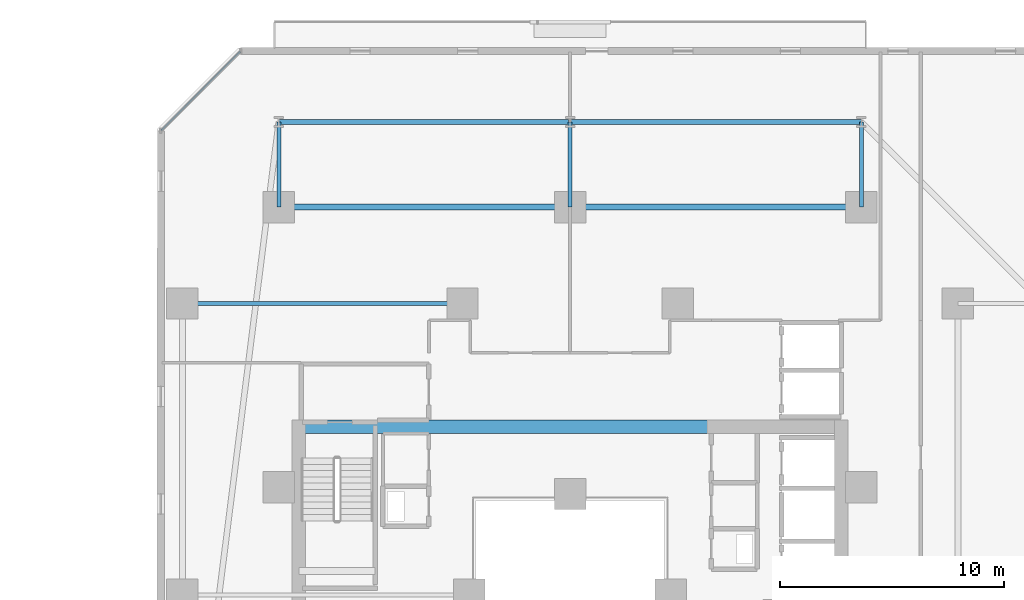
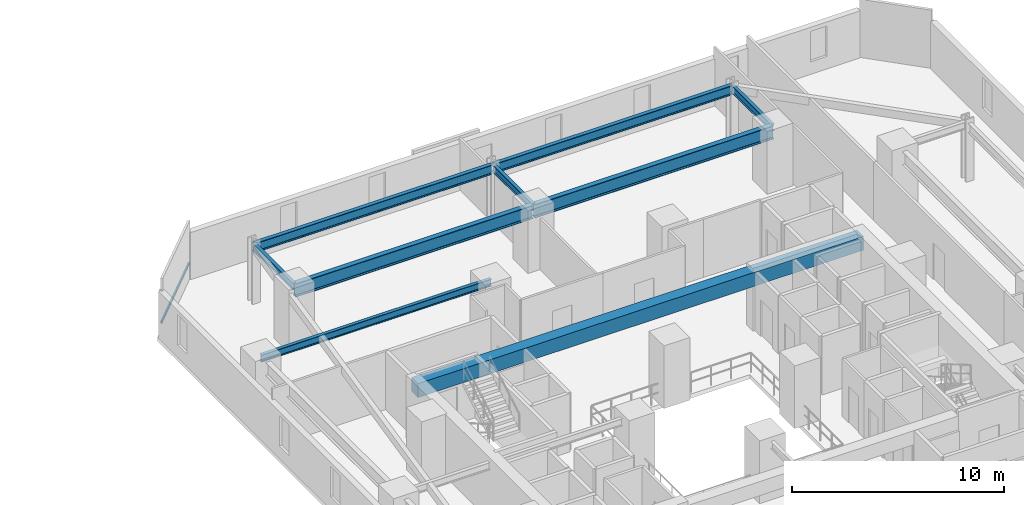
# One storey, part 15 of 34: 9 beams, 1 member, 1 element without a shape of its own.
"""IFC4 building model written with IfcOpenShell, lengths in metres."""

from ifc_helpers import new_model, si_unit, direction, frame, origin, origin_2d, place, context, subcontext, project, spatial, rectangle, hollow_rectangle, i_section, extrude, material, material_profile, profile_set, type_object, element, aggregate, save


model = new_model("IFC4")

# Units and contexts
model_context = context("Model", 3, precision=1e-05, world=origin(), true_north=direction((0.0, 1.0)))
body_context = subcontext(model_context, "Body", "Model", "MODEL_VIEW")
ifc_project = project(units=[si_unit("LENGTHUNIT", "METRE"), si_unit("AREAUNIT", "SQUARE_METRE"), si_unit("VOLUMEUNIT", "CUBIC_METRE"), si_unit("PLANEANGLEUNIT", "RADIAN"), si_unit("MASSUNIT", "GRAM", prefix="KILO")], contexts=[model_context])

# Site, building, storey
site_placement = place(None, origin())
site = spatial("IfcSite", under=ifc_project, at=site_placement, CompositionType="ELEMENT")
building_placement = place(site_placement, origin())
building = spatial("IfcBuilding", under=site, at=building_placement, Name="Thornwick Lancets Civic Towers", CompositionType="ELEMENT")
storey_placement = place(building_placement, frame((0.0, 0.0, 57.300048828125)))
storey = spatial("IfcBuildingStorey", under=building, at=storey_placement, Name="L14", CompositionType="ELEMENT", Elevation=57.300048828125)

# Beams
ifc_material_1 = material(Name="Concrete C60/75", Category="concrete")
ifc_material_profile_1 = material_profile(ifc_material_1, rectangle(XDim=0.60009765625, YDim=0.800048828125, at=origin_2d()), Name="RC 600x800")
ifc_profile_set_1 = profile_set([ifc_material_profile_1], Name="Concrete C60/75")
beam_type_1 = type_object("IfcBeamType", Name="BM_COUP_RC800", PredefinedType="BEAM", material=ifc_profile_set_1)
beam_1_placement = place(storey_placement, frame((76.39990234375, 34.5, 2.9599609375), z_axis=(1.0, 0.0, 0.0), x_axis=(0.0, 1.0, 0.0)))
element("IfcBeam", 1, at=beam_1_placement, inside=storey, type_object=beam_type_1, Name="CB-L14-B1", PredefinedType="BEAM", context=body_context, shape_type="SweptSolid", body=[
    extrude(rectangle(XDim=0.60009765625, YDim=0.800048828125, at=origin_2d()), origin(), (0.0, 0.0, 1.0), 24.2001953125),
])
ifc_material_2 = material(Name="Steel S355JR", Category="steel")
ifc_material_profile_2 = material_profile(ifc_material_2, i_section(OverallWidth=0.2119140625, OverallDepth=0.54443359375, WebThickness=0.0126953125, FlangeThickness=0.021240234375, FilletRadius=0.0126953125, at=origin_2d()), Name="UKB 533x210x122")
ifc_profile_set_2 = profile_set([ifc_material_profile_2], Name="Steel S355JR")
beam_type_2 = type_object("IfcBeamType", Name="BM_EDGE_533_122", PredefinedType="SPANDREL", material=ifc_profile_set_2)
beam_2_placement = place(storey_placement, frame((101.5, 48.10009765625, 3.087646484375), z_axis=(-1.0, 0.0, 0.0), x_axis=(0.0, -1.0, 0.0)))
element("IfcBeam", 2, at=beam_2_placement, inside=storey, type_object=beam_type_2, Name="BM-EDGE-L14-B-S1-1", PredefinedType="SPANDREL", context=body_context, shape_type="SweptSolid", body=[
    extrude(i_section(OverallWidth=0.2119140625, OverallDepth=0.54443359375, WebThickness=0.0126953125, FlangeThickness=0.021240234375, FilletRadius=0.0126953125, at=origin_2d()), origin(), (0.0, 0.0, 1.0), 13.0),
])
beam_3_placement = place(storey_placement, frame((88.419921875, 48.10009765625, 3.087646484375), z_axis=(-1.0, 0.0, 0.0), x_axis=(0.0, -1.0, 0.0)))
element("IfcBeam", 3, at=beam_3_placement, inside=storey, type_object=beam_type_2, Name="BM-EDGE-L14-B-S1-2", PredefinedType="SPANDREL", context=body_context, shape_type="SweptSolid", body=[
    extrude(i_section(OverallWidth=0.2119140625, OverallDepth=0.54443359375, WebThickness=0.0126953125, FlangeThickness=0.021240234375, FilletRadius=0.0126953125, at=origin_2d()), origin(), (0.0, 0.0, 1.0), 12.919921875),
])
ifc_material_profile_3 = material_profile(ifc_material_2, i_section(OverallWidth=0.26806640625, OverallDepth=0.769775390625, WebThickness=0.015625, FlangeThickness=0.025390625, FilletRadius=0.0166015625, at=origin_2d()), Name="UKB 762x267x197")
ifc_profile_set_3 = profile_set([ifc_material_profile_3], Name="Steel S355JR")
beam_type_3 = type_object("IfcBeamType", Name="BM_GIRD_762_197", PredefinedType="BEAM", material=ifc_profile_set_3)
beam_4_placement = place(storey_placement, frame((101.5, 44.300048828125, 2.97509765625), z_axis=(-1.0, 0.0, 0.0), x_axis=(0.0, -1.0, 0.0)))
element("IfcBeam", 4, at=beam_4_placement, inside=storey, type_object=beam_type_3, Name="BM-SPINE-L14-B-3-4", PredefinedType="BEAM", context=body_context, shape_type="SweptSolid", body=[
    extrude(i_section(OverallWidth=0.26806640625, OverallDepth=0.769775390625, WebThickness=0.015625, FlangeThickness=0.025390625, FilletRadius=0.0166015625, at=origin_2d()), origin(), (0.0, 0.0, 1.0), 13.0),
])
beam_5_placement = place(storey_placement, frame((88.419921875, 44.300048828125, 2.97509765625), z_axis=(-1.0, 0.0, 0.0), x_axis=(0.0, -1.0, 0.0)))
element("IfcBeam", 5, at=beam_5_placement, inside=storey, type_object=beam_type_3, Name="BM-SPINE-L14-B-4-5", PredefinedType="BEAM", context=body_context, shape_type="SweptSolid", body=[
    extrude(i_section(OverallWidth=0.26806640625, OverallDepth=0.769775390625, WebThickness=0.015625, FlangeThickness=0.025390625, FilletRadius=0.0166015625, at=origin_2d()), origin(), (0.0, 0.0, 1.0), 12.919921875),
])
ifc_material_profile_4 = material_profile(ifc_material_2, i_section(OverallWidth=0.179443359375, OverallDepth=0.412841796875, WebThickness=0.009521484375, FlangeThickness=0.01611328125, FilletRadius=0.01025390625, at=origin_2d()), Name="UKB 406x178x74")
ifc_profile_set_4 = profile_set([ifc_material_profile_4], Name="Steel S355JR")
beam_type_4 = type_object("IfcBeamType", Name="BM_JOIST_406_74", PredefinedType="JOIST", material=ifc_profile_set_4)
for number, where, z_axis, x_axis, name in (
    (6, (101.5, 44.300048828125, 3.153564453125), (0.0, 1.0, 0.0), (-1.0, 0.0, 0.0), "BM-RAD-L14-B04"),
    (7, (88.5, 44.300048828125, 3.153564453125), (0.0, 1.0, 0.0), (-1.0, 0.0, 0.0), "BM-RAD-L14-B05"),
    (8, (75.5, 44.300048828125, 3.153564453125), (0.0, 1.0, 0.0), (-1.0, 0.0, 0.0), "BM-RAD-L14-B06"),
):
    element("IfcBeam", number, at=place(storey_placement, frame(where, z_axis=z_axis, x_axis=x_axis)), inside=storey, type_object=beam_type_4, Name=name, PredefinedType="JOIST", context=body_context, shape_type="SweptSolid", body=[
        extrude(i_section(OverallWidth=0.179443359375, OverallDepth=0.412841796875, WebThickness=0.009521484375, FlangeThickness=0.01611328125, FilletRadius=0.01025390625, at=origin_2d()), origin(), (0.0, 0.0, 1.0), 3.800048828125),
    ])
beam_6_placement = place(storey_placement, frame((83.699951171875, 40.0, 3.153564453125), z_axis=(-1.0, 0.0, 0.0), x_axis=(0.0, -1.0, 0.0)))
element("IfcBeam", 9, at=beam_6_placement, inside=storey, type_object=beam_type_4, Name="BM-RADIN-L14-B09", PredefinedType="JOIST", context=body_context, shape_type="SweptSolid", body=[
    extrude(i_section(OverallWidth=0.179443359375, OverallDepth=0.412841796875, WebThickness=0.009521484375, FlangeThickness=0.01611328125, FilletRadius=0.01025390625, at=origin_2d()), origin(), (0.0, 0.0, 1.0), 12.5),
])

# Curtain wall, member
ifc_material_3 = material(Name="Low-zone chamfered-corner unitised glass curtain wall", Category="glass")
curtain_wall_type = type_object("IfcCurtainWallType", Name="CW_SYS_03", PredefinedType="NOTDEFINED", material=ifc_material_3)
curtain_wall_placement = place(storey_placement, origin())
curtain_wall = element("IfcCurtainWall", 10, at=curtain_wall_placement, inside=storey, type_object=curtain_wall_type, Name="L14 Curtain Wall CW-L14-B-E5", PredefinedType="NOTDEFINED")
ifc_material_4 = material(Name="Thermally broken bronze aluminium S355", Category="steel")
ifc_material_profile_5 = material_profile(ifc_material_4, hollow_rectangle(XDim=0.074951171875, YDim=0.14990234375, WallThickness=0.0048828125, at=origin_2d()), Name="RHS 150x75x5")
ifc_profile_set_5 = profile_set([ifc_material_profile_5], Name="Thermally broken bronze aluminium S355")
member_type = type_object("IfcMemberType", Name="CW_TRN_150", PredefinedType="USERDEFINED", material=ifc_profile_set_5)
member_placement = place(storey_placement, frame((73.783203125, 51.24755859375, 0.849853515625), z_axis=(-0.707106781187, -0.707106781187, 0.0), x_axis=(0.707106781187, -0.707106781187, 0.0)))
member = element("IfcMember", 11, at=member_placement, type_object=member_type, Name="CW-L14-B-E5 Transom 0", ObjectType="TRANSOM", PredefinedType="USERDEFINED", context=body_context, shape_type="SweptSolid", body=[
    extrude(hollow_rectangle(XDim=0.074951171875, YDim=0.14990234375, WallThickness=0.0048828125, at=origin_2d()), origin(), (0.0, 0.0, 1.0), 4.9931640625),
])
aggregate(curtain_wall, [member])

save(model, "model.ifc")
